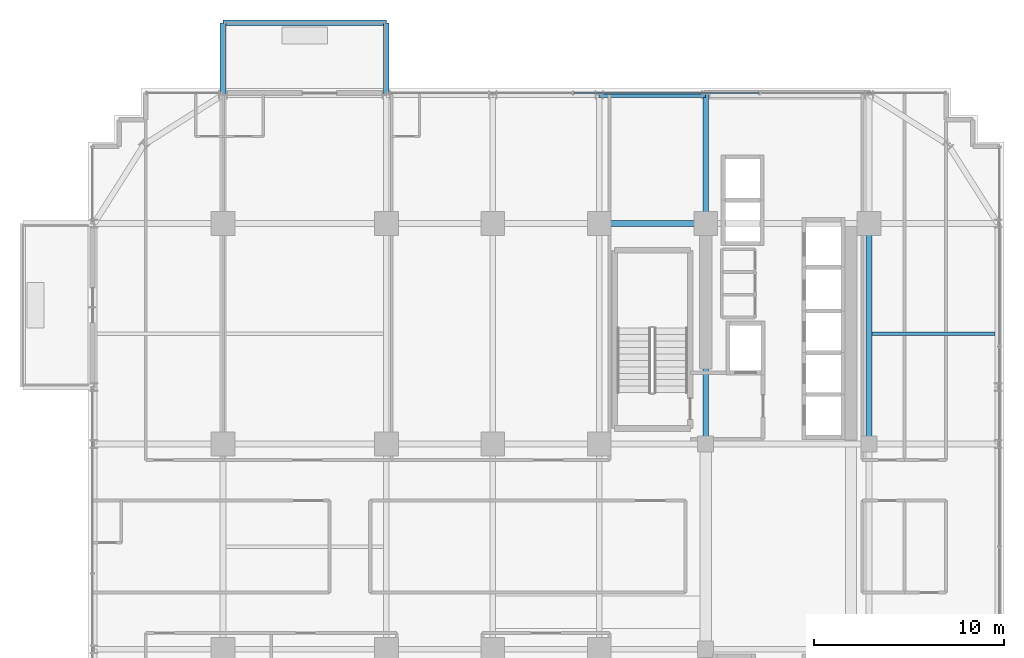
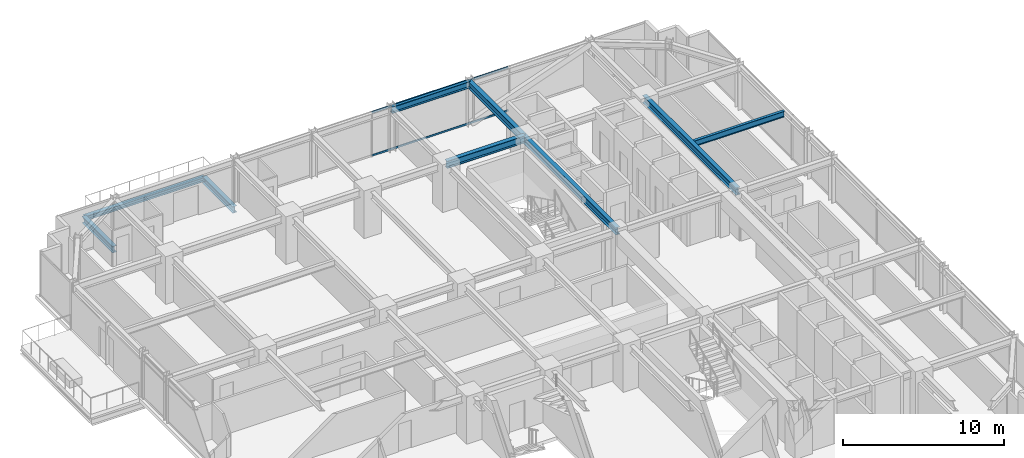
# One storey, part 22 of 35: 9 beams, 2 members, 1 element without a shape of its own.
"""IFC4 building model written with IfcOpenShell, lengths in metres."""

from ifc_helpers import new_model, si_unit, direction, frame, origin, origin_2d, place, context, subcontext, project, spatial, hollow_rectangle, i_section, extrude, source, transform, mapped, material, material_profile, profile_set, type_object, element, aggregate, save


model = new_model("IFC4")

# Units and contexts
model_context = context("Model", 3, precision=1e-05, world=origin(), true_north=direction((0.0, 1.0)))
body_context = subcontext(model_context, "Body", "Model", "MODEL_VIEW")
ifc_project = project(units=[si_unit("LENGTHUNIT", "METRE"), si_unit("AREAUNIT", "SQUARE_METRE"), si_unit("VOLUMEUNIT", "CUBIC_METRE"), si_unit("PLANEANGLEUNIT", "RADIAN"), si_unit("MASSUNIT", "GRAM", prefix="KILO")], contexts=[model_context])

# Site, building, storey
site_placement = place(None, origin())
site = spatial("IfcSite", under=ifc_project, at=site_placement, CompositionType="ELEMENT")
building_placement = place(site_placement, origin())
building = spatial("IfcBuilding", under=site, at=building_placement, Name="Nahalor Promenade Grand Hotel", CompositionType="ELEMENT")
storey_placement = place(building_placement, frame((0.0, 0.0, 121.14990234375)))
storey = spatial("IfcBuildingStorey", under=building, at=storey_placement, Name="L30", CompositionType="ELEMENT", Elevation=121.14990234375)

# Beams
ifc_material_1 = material(Name="Steel S355JR", Category="steel")
ifc_material_profile_1 = material_profile(ifc_material_1, i_section(OverallWidth=0.3, OverallDepth=0.32, WebThickness=0.0115, FlangeThickness=0.0205, at=origin_2d()), Name="HEB 320")
ifc_profile_set_1 = profile_set([ifc_material_profile_1], Name="Steel S355JR")
beam_type_1 = type_object("IfcBeamType", Name="Beam-BalcEdge-HEB320", PredefinedType="SPANDREL", material=ifc_profile_set_1)
shared_shape_1 = source(origin(), body_context, "Body", "SweptSolid", [
    extrude(i_section(OverallWidth=0.3, OverallDepth=0.32, WebThickness=0.0115, FlangeThickness=0.0205, at=origin_2d()), origin(), (0.0, 0.0, 1.0), 8.60009765625),
])
beam_1_placement = place(storey_placement, frame((-17.0, 27.56005859375, -0.43994140625), z_axis=(1.0, 0.0, 0.0), x_axis=(0.0, 1.0, 0.0)))
element("IfcBeam", 1, at=beam_1_placement, inside=storey, type_object=beam_type_1, Name="BM-L30-BC-01-F", PredefinedType="SPANDREL", context=body_context, shape_type="MappedRepresentation", body=[
    mapped(shared_shape_1, transform((0.0, 0.0, 0.0), scale=1.0)),
])
ifc_material_profile_2 = material_profile(ifc_material_1, i_section(OverallWidth=0.3, OverallDepth=0.5, WebThickness=0.0145, FlangeThickness=0.028, at=origin_2d()), Name="HEB 500")
ifc_profile_set_2 = profile_set([ifc_material_profile_2], Name="Steel S355JR")
beam_type_2 = type_object("IfcBeamType", Name="Beam-Outrigger-HEB500", PredefinedType="BEAM", material=ifc_profile_set_2)
shared_shape_2 = source(origin(), body_context, "Body", "SweptSolid", [
    extrude(i_section(OverallWidth=0.3, OverallDepth=0.5, WebThickness=0.0145, FlangeThickness=0.028, at=origin_2d()), origin(), (0.0, 0.0, 1.0), 3.780029296875),
])
for number, where, z_axis, x_axis, name in (
    (2, (-17.0, 23.780029296875, -0.52978515625), (0.0, 1.0, 0.0), (-1.0, 0.0, 0.0), "BM-L30-BC-01-1"),
    (3, (-8.39990234375, 23.780029296875, -0.52978515625), (0.0, 1.0, 0.0), (-1.0, 0.0, 0.0), "BM-L30-BC-01-2"),
):
    element("IfcBeam", number, at=place(storey_placement, frame(where, z_axis=z_axis, x_axis=x_axis)), inside=storey, type_object=beam_type_2, Name=name, PredefinedType="BEAM", context=body_context, shape_type="MappedRepresentation", body=[
        mapped(shared_shape_2, transform((0.0, 0.0, 0.0), scale=1.0)),
    ])
ifc_material_profile_3 = material_profile(ifc_material_1, i_section(OverallWidth=0.3, OverallDepth=0.5, WebThickness=0.0145, FlangeThickness=0.028, at=origin_2d()), Name="HEB 500")
ifc_profile_set_3 = profile_set([ifc_material_profile_3], Name="Steel S355JR")
beam_type_3 = type_object("IfcBeamType", Name="Beam-Spandrel-HEB500", PredefinedType="SPANDREL", material=ifc_profile_set_3)
shared_shape_3 = source(origin(), body_context, "Body", "SweptSolid", [
    extrude(i_section(OverallWidth=0.3, OverallDepth=0.5, WebThickness=0.0145, FlangeThickness=0.028, at=origin_2d()), origin(), (0.0, 0.0, 1.0), 5.599853515625),
])
beam_2_placement = place(storey_placement, frame((2.800048828125, 23.780029296875, 3.130126953125), z_axis=(1.0, 0.0, 0.0), x_axis=(0.0, 1.0, 0.0)))
element("IfcBeam", 4, at=beam_2_placement, inside=storey, type_object=beam_type_3, Name="BM-L30-SP-N-3", PredefinedType="SPANDREL", context=body_context, shape_type="MappedRepresentation", body=[
    mapped(shared_shape_3, transform((0.0, 0.0, 0.0), scale=1.0)),
])
ifc_material_profile_4 = material_profile(ifc_material_1, i_section(OverallWidth=0.3, OverallDepth=0.55, WebThickness=0.015, FlangeThickness=0.029, at=origin_2d()), Name="HEB 550")
ifc_profile_set_4 = profile_set([ifc_material_profile_4], Name="Steel S355JR")
beam_type_4 = type_object("IfcBeamType", Name="Beam-Girder-HEB550", PredefinedType="BEAM", material=ifc_profile_set_4)
shared_shape_4 = source(origin(), body_context, "Body", "SweptSolid", [
    extrude(i_section(OverallWidth=0.3, OverallDepth=0.55, WebThickness=0.015, FlangeThickness=0.029, at=origin_2d()), origin(), (0.0, 0.0, 1.0), 6.780029296875),
])
beam_3_placement = place(storey_placement, frame((8.39990234375, 17.0, 3.10498046875), z_axis=(0.0, 1.0, 0.0), x_axis=(-1.0, 0.0, 0.0)))
element("IfcBeam", 5, at=beam_3_placement, inside=storey, type_object=beam_type_4, Name="BM-L30-GY-4-4", PredefinedType="BEAM", context=body_context, shape_type="MappedRepresentation", body=[
    mapped(shared_shape_4, transform((0.0, 0.0, 0.0), scale=1.0)),
])
shared_shape_5 = source(origin(), body_context, "Body", "SweptSolid", [
    extrude(i_section(OverallWidth=0.3, OverallDepth=0.55, WebThickness=0.015, FlangeThickness=0.029, at=origin_2d()), origin(), (0.0, 0.0, 1.0), 5.599853515625),
])
beam_4_placement = place(storey_placement, frame((2.800048828125, 17.0, 3.10498046875), z_axis=(1.0, 0.0, 0.0), x_axis=(0.0, 1.0, 0.0)))
element("IfcBeam", 6, at=beam_4_placement, inside=storey, type_object=beam_type_4, Name="BM-L30-GX-3-4", PredefinedType="BEAM", context=body_context, shape_type="MappedRepresentation", body=[
    mapped(shared_shape_5, transform((0.0, 0.0, 0.0), scale=1.0)),
])
shared_shape_6 = source(origin(), body_context, "Body", "SweptSolid", [
    extrude(i_section(OverallWidth=0.3, OverallDepth=0.55, WebThickness=0.015, FlangeThickness=0.029, at=origin_2d()), origin(), (0.0, 0.0, 1.0), 11.60009765625),
])
for number, where, z_axis, x_axis, name in (
    (7, (8.39990234375, 5.39990234375, 3.10498046875), (0.0, 1.0, 0.0), (-1.0, 0.0, 0.0), "BM-L30-GY-4-3"),
    (8, (17.0, 5.39990234375, 3.10498046875), (0.0, 1.0, 0.0), (-1.0, 0.0, 0.0), "BM-L30-GY-5-3"),
):
    element("IfcBeam", number, at=place(storey_placement, frame(where, z_axis=z_axis, x_axis=x_axis)), inside=storey, type_object=beam_type_4, Name=name, PredefinedType="BEAM", context=body_context, shape_type="MappedRepresentation", body=[
        mapped(shared_shape_6, transform((0.0, 0.0, 0.0), scale=1.0)),
    ])
ifc_material_profile_5 = material_profile(ifc_material_1, i_section(OverallWidth=0.19, OverallDepth=0.45, WebThickness=0.0094, FlangeThickness=0.0146, at=origin_2d()), Name="IPE 450")
ifc_profile_set_5 = profile_set([ifc_material_profile_5], Name="Steel S355JR")
beam_type_5 = type_object("IfcBeamType", Name="Beam-Joist-IPE450", PredefinedType="JOIST", material=ifc_profile_set_5)
shared_shape_7 = source(origin(), body_context, "Body", "SweptSolid", [
    extrude(i_section(OverallWidth=0.19, OverallDepth=0.45, WebThickness=0.0094, FlangeThickness=0.0146, at=origin_2d()), origin(), (0.0, 0.0, 1.0), 6.47998046875),
])
beam_5_placement = place(storey_placement, frame((17.14990234375, 11.199951171875, 3.155029296875), z_axis=(1.0, 0.0, 0.0), x_axis=(0.0, 1.0, 0.0)))
element("IfcBeam", 9, at=beam_5_placement, inside=storey, type_object=beam_type_5, Name="BM-L30-JSE-1-2", PredefinedType="JOIST", context=body_context, shape_type="MappedRepresentation", body=[
    mapped(shared_shape_7, transform((0.0, 0.0, 0.0), scale=1.0)),
])

# Curtain wall, members
ifc_material_2 = material(Name="Anodised Bronze Aluminium EN AW-6063 T6", Category="aluminium")
curtain_wall_type = type_object("IfcCurtainWallType", Name="CW2 Typical Hotel Flush Bronze Unitised Curtain Wall", PredefinedType="USERDEFINED", material=ifc_material_2)
curtain_wall_placement = place(storey_placement, origin())
curtain_wall = element("IfcCurtainWall", 10, at=curtain_wall_placement, inside=storey, type_object=curtain_wall_type, Name="L30 Curtain Wall CW-L30-N-3", ObjectType="UNITISED_CURTAIN_WALL", PredefinedType="USERDEFINED")
ifc_material_profile_6 = material_profile(ifc_material_2, hollow_rectangle(XDim=0.065, YDim=0.13, WallThickness=0.004, at=origin_2d()), Name="CWT 65x130x4")
ifc_profile_set_6 = profile_set([ifc_material_profile_6], Name="Anodised Bronze Aluminium EN AW-6063 T6")
member_type = type_object("IfcMemberType", Name="CWT2 Typical Bronze Transom 65x130", PredefinedType="USERDEFINED", material=ifc_profile_set_6)
shared_shape_8 = source(origin(), body_context, "Body", "SweptSolid", [
    extrude(hollow_rectangle(XDim=0.065, YDim=0.13, WallThickness=0.004, at=origin_2d()), origin(), (0.0, 0.0, 1.0), 9.755126953125),
])
member_1_placement = place(storey_placement, frame((1.452392578125, 23.860107421875, 0.065185546875), z_axis=(1.0, 0.0, 0.0), x_axis=(0.0, 1.0, 0.0)))
member_1 = element("IfcMember", 11, at=member_1_placement, type_object=member_type, Name="CW-L30-N-3 Transom 1-0", ObjectType="TRANSOM", PredefinedType="USERDEFINED", context=body_context, shape_type="MappedRepresentation", body=[
    mapped(shared_shape_8, transform((0.0, 0.0, 0.0), scale=1.0)),
])
member_2_placement = place(storey_placement, frame((1.452392578125, 23.860107421875, 3.315185546875), z_axis=(1.0, 0.0, 0.0), x_axis=(0.0, 1.0, 0.0)))
member_2 = element("IfcMember", 12, at=member_2_placement, type_object=member_type, Name="CW-L30-N-3 Transom 1-1", ObjectType="TRANSOM", PredefinedType="USERDEFINED", context=body_context, shape_type="MappedRepresentation", body=[
    mapped(shared_shape_8, transform((0.0, 0.0, 0.0), scale=1.0)),
])
aggregate(curtain_wall, [member_1, member_2])

save(model, "model.ifc")
